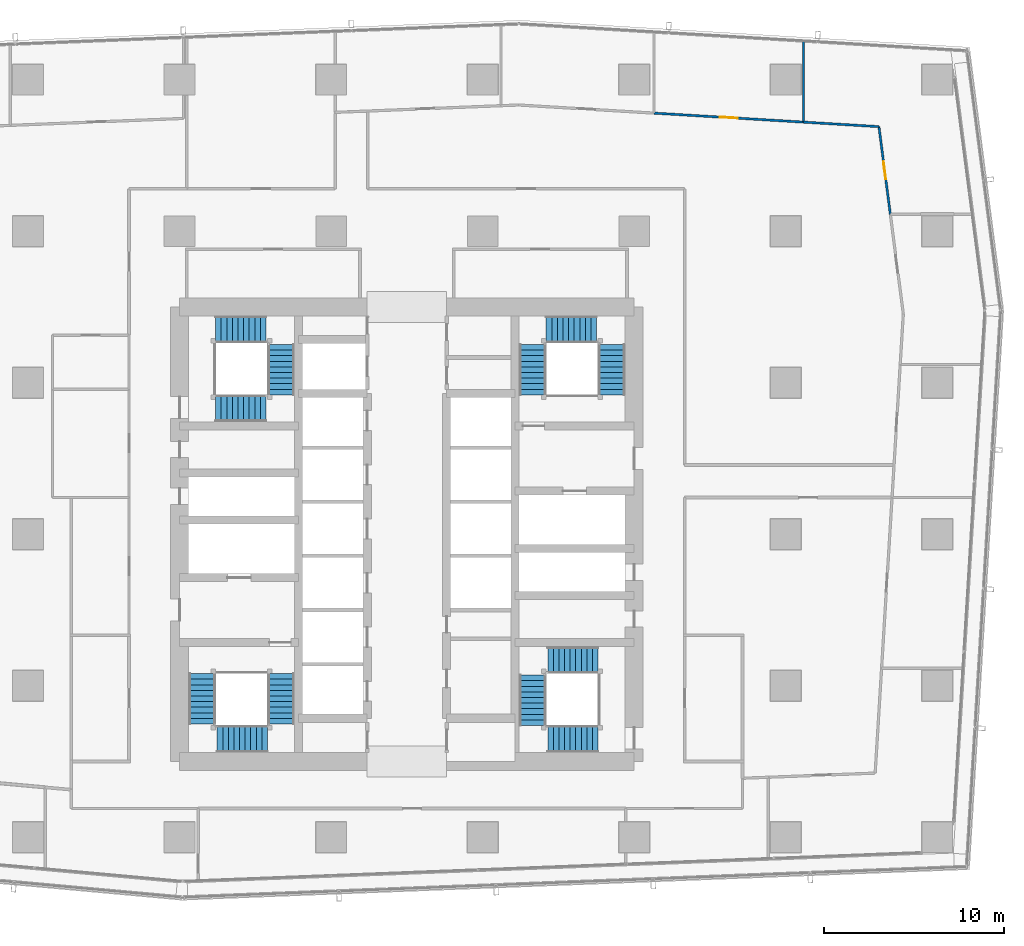
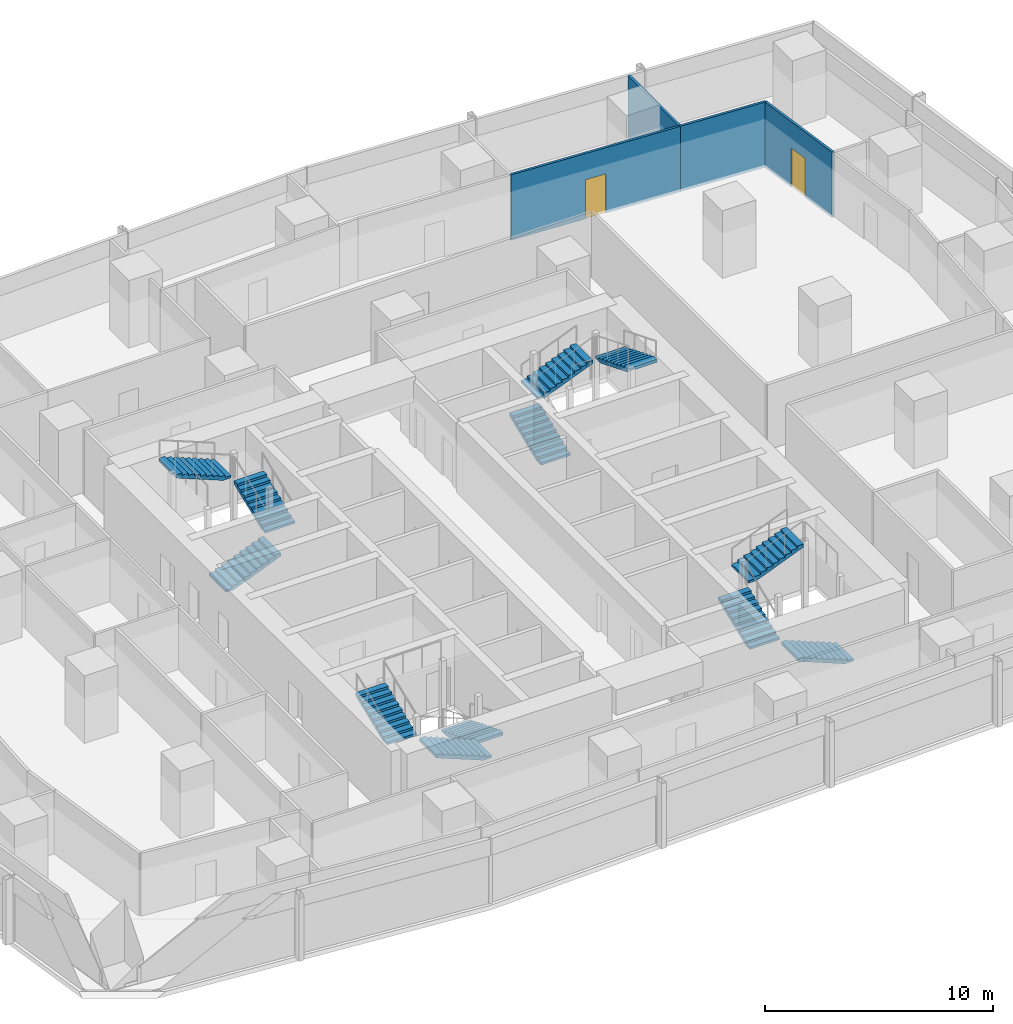
# One storey, part 32 of 40: 12 stair flights, 4 walls, 2 doors, 2 openings, 4 elements without a shape of their own.
"""IFC4 building model written with IfcOpenShell, lengths in metres."""

from ifc_helpers import new_model, si_unit, direction, frame, frame_2d, origin, place, context, subcontext, project, spatial, polyline, rectangle, outline, extrude, material, layer, layer_set, type_object, element, fill, aggregate, save


model = new_model("IFC4")

# Units and contexts
model_context = context("Model", 3, precision=1e-05, world=origin(), true_north=direction((0.0, 1.0)))
body_context = subcontext(model_context, "Body", "Model", "MODEL_VIEW")
ifc_project = project(units=[si_unit("LENGTHUNIT", "METRE"), si_unit("AREAUNIT", "SQUARE_METRE"), si_unit("VOLUMEUNIT", "CUBIC_METRE"), si_unit("PLANEANGLEUNIT", "RADIAN"), si_unit("MASSUNIT", "GRAM", prefix="KILO")], contexts=[model_context])

# Site, building, storey
site_placement = place(None, origin())
site = spatial("IfcSite", under=ifc_project, at=site_placement, CompositionType="ELEMENT")
building_placement = place(site_placement, origin())
building = spatial("IfcBuilding", under=site, at=building_placement, Name="Rekha Terrace Tower", CompositionType="ELEMENT")
storey_placement = place(building_placement, frame((0.0, 0.0, 110.300048828125)))
storey = spatial("IfcBuildingStorey", under=building, at=storey_placement, Name="L27", CompositionType="ELEMENT", Elevation=110.300048828125)

# Wall
ifc_material_1 = material(Name="Two layers of fire-rated gypsum board each side on steel studs, acoustic quilt, 1 hour", Category="steel")
ifc_layer = layer(ifc_material_1, 0.125)
ifc_layer_set = layer_set([ifc_layer], Name="Two layers of fire-rated gypsum board each side on steel studs, acoustic quilt, 1 hour")
wall_type = type_object("IfcWallType", Name="WP3 125 office partition", PredefinedType="PARTITIONING", material=ifc_layer_set)
wall_1_placement = place(storey_placement, frame((59.7880859375, 56.445068359375, 0.0), z_axis=(0.0, 0.0, 1.0), x_axis=(0.0, 1.0, 0.0)))
element("IfcWall", 1, at=wall_1_placement, inside=storey, type_object=wall_type, Name="Partition L27-07", PredefinedType="PARTITIONING", context=body_context, shape_type="SweptSolid", body=[
    extrude(rectangle(XDim=4.4580078125, YDim=0.125, at=frame_2d((2.22900390625, 0.0))), origin(), (0.0, 0.0, 1.0), 3.5),
])

# Wall, opening, door
wall_2_placement = place(storey_placement, frame((64.59912109375, 51.339111328125, 0.0), z_axis=(0.0, 0.0, 1.0), x_axis=(-0.129102549566, 0.991631247841, 0.0)))
wall_2 = element("IfcWall", 2, at=wall_2_placement, inside=storey, type_object=wall_type, Name="Partition L27-07", PredefinedType="PARTITIONING", context=body_context, shape_type="SweptSolid", body=[
    extrude(rectangle(XDim=4.89599609375, YDim=0.125, at=frame_2d((2.447998046875, 0.0))), origin(), (0.0, 0.0, 1.0), 3.5),
])
opening_1_placement = place(wall_2_placement, frame((1.947998046875, 0.0, 0.0)))
opening_1 = element("IfcOpeningElement", 3, at=opening_1_placement, cuts=wall_2, Name="Opening D9", PredefinedType="OPENING", context=body_context, shape_type="SweptSolid", body=[
    extrude(rectangle(XDim=1.0, YDim=2.10009765625, at=frame_2d((0.5, 1.050048828125))), frame((0.0, 0.072509765625, 0.0), z_axis=(0.0, -1.0, 0.0), x_axis=(1.0, 0.0, 0.0)), (0.0, 0.0, 1.0), 0.14501953125),
])
ifc_material_2 = material(Name="Timber fire door", Category="wood")
door_type = type_object("IfcDoorType", Name="D9 1000x2100 office door", OperationType="SINGLE_SWING_LEFT", PredefinedType="DOOR", material=ifc_material_2)
door_1_placement = place(opening_1_placement, origin())
door_1 = element("IfcDoor", 4, at=door_1_placement, inside=storey, type_object=door_type, Name="Door manager's office L27", OperationType="SINGLE_SWING_LEFT", OverallHeight=2.10009765625, OverallWidth=1.0, PredefinedType="DOOR", context=body_context, shape_type="SweptSolid", body=[
    extrude(rectangle(XDim=1.0, YDim=2.10009765625, at=frame_2d((0.5, 1.050048828125))), frame((0.0, 0.02490234375, 0.0), z_axis=(0.0, -1.0, 0.0), x_axis=(1.0, 0.0, 0.0)), (0.0, 0.0, 1.0), 0.050048828125),
])
fill(opening_1, door_1)

# Wall
wall_3_placement = place(storey_placement, frame((63.967041015625, 56.194091796875, 0.0), z_axis=(0.0, 0.0, 1.0), x_axis=(-0.998201427139, 0.059949235678, 0.0)))
element("IfcWall", 5, at=wall_3_placement, inside=storey, type_object=wall_type, Name="Partition L27-07", PredefinedType="PARTITIONING", context=body_context, shape_type="SweptSolid", body=[
    extrude(rectangle(XDim=4.1865234375, YDim=0.125, at=frame_2d((2.09326171875, 0.0))), origin(), (0.0, 0.0, 1.0), 3.5),
])

# Wall, opening, door
wall_4_placement = place(storey_placement, frame((59.787109375, 56.445068359375, 0.0), z_axis=(0.0, 0.0, 1.0), x_axis=(-0.998194005673, 0.060072681298, 0.0)))
wall_4 = element("IfcWall", 6, at=wall_4_placement, inside=storey, type_object=wall_type, Name="Partition L27-08", PredefinedType="PARTITIONING", context=body_context, shape_type="SweptSolid", body=[
    extrude(rectangle(XDim=8.306884765625, YDim=0.125, at=frame_2d((4.1533203125, 0.0))), origin(), (0.0, 0.0, 1.0), 3.5),
])
opening_2_placement = place(wall_4_placement, frame((3.654052734375, 0.0, 0.0)))
opening_2 = element("IfcOpeningElement", 7, at=opening_2_placement, cuts=wall_4, Name="Opening D9", PredefinedType="OPENING", context=body_context, shape_type="SweptSolid", body=[
    extrude(rectangle(XDim=1.0, YDim=2.10009765625, at=frame_2d((0.5, 1.050048828125))), frame((0.0, 0.072509765625, 0.0), z_axis=(0.0, -1.0, 0.0), x_axis=(1.0, 0.0, 0.0)), (0.0, 0.0, 1.0), 0.14501953125),
])
door_2_placement = place(opening_2_placement, origin())
door_2 = element("IfcDoor", 8, at=door_2_placement, inside=storey, type_object=door_type, Name="Door office L27", OperationType="SINGLE_SWING_LEFT", OverallHeight=2.10009765625, OverallWidth=1.0, PredefinedType="DOOR", context=body_context, shape_type="SweptSolid", body=[
    extrude(rectangle(XDim=1.0, YDim=2.10009765625, at=frame_2d((0.5, 1.050048828125))), frame((0.0, 0.02490234375, 0.0), z_axis=(0.0, -1.0, 0.0), x_axis=(1.0, 0.0, 0.0)), (0.0, 0.0, 1.0), 0.050048828125),
])
fill(opening_2, door_2)

# Stair, stair flights
ifc_material_3 = material(Name="Concrete M40", Category="concrete")
stair_type = type_object("IfcStairType", Name="ST30 stair, 30 risers of 125, going 310, 1500 wide flights, 3 flights", PredefinedType="HALF_TURN_STAIR", material=ifc_material_3)
stair_1_placement = place(storey_placement, origin())
stair_1 = element("IfcStair", 9, at=stair_1_placement, inside=storey, type_object=stair_type, Name="Stair ST1 L27 to L28", PredefinedType="HALF_TURN_STAIR")
stair_flight_type = type_object("IfcStairFlightType", Name="SF10 stair flight, 10 risers of 125, going 310, 1500 wide", PredefinedType="STRAIGHT", material=ifc_material_3)
stair_flight_1_placement = place(storey_placement, frame((30.824951171875, 25.875, 0.0), z_axis=(0.0, 0.0, 1.0), x_axis=(0.0, -1.0, 0.0)))
stair_flight_1 = element("IfcStairFlight", 10, at=stair_flight_1_placement, type_object=stair_flight_type, Name="ST1 flight 1", NumberOfRisers=10, NumberOfTreads=9, PredefinedType="STRAIGHT", RiserHeight=0.125, TreadLength=0.31, context=body_context, shape_type="SweptSolid", body=[
    extrude(outline(polyline([(0.0, 0.0), (0.0, 0.125), (0.31005859375, 0.125), (0.31005859375, 0.25), (0.6201171875, 0.25), (0.6201171875, 0.375), (0.929931640625, 0.375), (0.929931640625, 0.5), (1.239990234375, 0.5), (1.239990234375, 0.625), (1.550048828125, 0.625), (1.550048828125, 0.75), (1.860107421875, 0.75), (1.860107421875, 0.875), (2.169921875, 0.875), (2.169921875, 1.0), (2.47998046875, 1.0), (2.47998046875, 1.125), (2.7900390625, 1.125), (2.7900390625, 1.25), (2.7900390625, 0.96337890625), (0.40087890625, 0.0), (0.0, 0.0)])), frame((0.0, 0.75, 0.0), z_axis=(0.0, -1.0, 0.0), x_axis=(1.0, 0.0, 0.0)), (0.0, 0.0, 1.0), 1.5),
])
stair_flight_2_placement = place(storey_placement, frame((30.074951171875, 22.25, 1.25), z_axis=(0.0, 0.0, 1.0), x_axis=(-1.0, 0.0, 0.0)))
stair_flight_2 = element("IfcStairFlight", 11, at=stair_flight_2_placement, type_object=stair_flight_type, Name="ST1 flight 2", NumberOfRisers=10, NumberOfTreads=9, PredefinedType="STRAIGHT", RiserHeight=0.125, TreadLength=0.31, context=body_context, shape_type="SweptSolid", body=[
    extrude(outline(polyline([(0.0, 0.0), (0.0, 0.125), (0.31005859375, 0.125), (0.31005859375, 0.25), (0.6201171875, 0.25), (0.6201171875, 0.375), (0.929931640625, 0.375), (0.929931640625, 0.5), (1.239990234375, 0.5), (1.239990234375, 0.625), (1.550048828125, 0.625), (1.550048828125, 0.75), (1.860107421875, 0.75), (1.860107421875, 0.875), (2.169921875, 0.875), (2.169921875, 1.0), (2.47998046875, 1.0), (2.47998046875, 1.125), (2.7900390625, 1.125), (2.7900390625, 1.25), (2.7900390625, 0.96337890625), (0.40087890625, 0.0), (0.0, 0.0)])), frame((0.0, 0.75, 0.0), z_axis=(0.0, -1.0, 0.0), x_axis=(1.0, 0.0, 0.0)), (0.0, 0.0, 1.0), 1.5),
])
stair_flight_3_placement = place(storey_placement, frame((26.449951171875, 23.0849609375, 2.5), z_axis=(0.0, 0.0, 1.0), x_axis=(0.0, 1.0, 0.0)))
stair_flight_3 = element("IfcStairFlight", 12, at=stair_flight_3_placement, type_object=stair_flight_type, Name="ST1 flight 3", NumberOfRisers=10, NumberOfTreads=9, PredefinedType="STRAIGHT", RiserHeight=0.125, TreadLength=0.31, context=body_context, shape_type="SweptSolid", body=[
    extrude(outline(polyline([(0.0, 0.0), (0.0, 0.125), (0.31005859375, 0.125), (0.31005859375, 0.25), (0.6201171875, 0.25), (0.6201171875, 0.375), (0.929931640625, 0.375), (0.929931640625, 0.5), (1.239990234375, 0.5), (1.239990234375, 0.625), (1.550048828125, 0.625), (1.550048828125, 0.75), (1.860107421875, 0.75), (1.860107421875, 0.875), (2.169921875, 0.875), (2.169921875, 1.0), (2.47998046875, 1.0), (2.47998046875, 1.125), (2.7900390625, 1.125), (2.7900390625, 1.25), (2.7900390625, 0.96337890625), (0.40087890625, 0.0), (0.0, 0.0)])), frame((0.0, 0.75, 0.0), z_axis=(0.0, -1.0, 0.0), x_axis=(1.0, 0.0, 0.0)), (0.0, 0.0, 1.0), 1.5),
])
aggregate(stair_1, [stair_flight_1, stair_flight_2, stair_flight_3])

stair_2_placement = place(storey_placement, origin())
stair_2 = element("IfcStair", 13, at=stair_2_placement, inside=storey, type_object=stair_type, Name="Stair ST2 L27 to L28", PredefinedType="HALF_TURN_STAIR")
stair_flight_4_placement = place(storey_placement, frame((44.77490234375, 41.324951171875, 0.0), z_axis=(0.0, 0.0, 1.0), x_axis=(0.0, 1.0, 0.0)))
stair_flight_4 = element("IfcStairFlight", 14, at=stair_flight_4_placement, type_object=stair_flight_type, Name="ST2 flight 1", NumberOfRisers=10, NumberOfTreads=9, PredefinedType="STRAIGHT", RiserHeight=0.125, TreadLength=0.31, context=body_context, shape_type="SweptSolid", body=[
    extrude(outline(polyline([(0.0, 0.0), (0.0, 0.125), (0.31005859375, 0.125), (0.31005859375, 0.25), (0.6201171875, 0.25), (0.6201171875, 0.375), (0.929931640625, 0.375), (0.929931640625, 0.5), (1.239990234375, 0.5), (1.239990234375, 0.625), (1.550048828125, 0.625), (1.550048828125, 0.75), (1.860107421875, 0.75), (1.860107421875, 0.875), (2.169921875, 0.875), (2.169921875, 1.0), (2.47998046875, 1.0), (2.47998046875, 1.125), (2.7900390625, 1.125), (2.7900390625, 1.25), (2.7900390625, 0.96337890625), (0.40087890625, 0.0), (0.0, 0.0)])), frame((0.0, 0.75, 0.0), z_axis=(0.0, -1.0, 0.0), x_axis=(1.0, 0.0, 0.0)), (0.0, 0.0, 1.0), 1.5),
])
stair_flight_5_placement = place(storey_placement, frame((45.52490234375, 44.949951171875, 1.25), z_axis=(0.0, 0.0, 1.0), x_axis=(1.0, 0.0, 0.0)))
stair_flight_5 = element("IfcStairFlight", 15, at=stair_flight_5_placement, type_object=stair_flight_type, Name="ST2 flight 2", NumberOfRisers=10, NumberOfTreads=9, PredefinedType="STRAIGHT", RiserHeight=0.125, TreadLength=0.31, context=body_context, shape_type="SweptSolid", body=[
    extrude(outline(polyline([(0.0, 0.0), (0.0, 0.125), (0.31005859375, 0.125), (0.31005859375, 0.25), (0.6201171875, 0.25), (0.6201171875, 0.375), (0.929931640625, 0.375), (0.929931640625, 0.5), (1.239990234375, 0.5), (1.239990234375, 0.625), (1.550048828125, 0.625), (1.550048828125, 0.75), (1.860107421875, 0.75), (1.860107421875, 0.875), (2.169921875, 0.875), (2.169921875, 1.0), (2.47998046875, 1.0), (2.47998046875, 1.125), (2.7900390625, 1.125), (2.7900390625, 1.25), (2.7900390625, 0.96337890625), (0.40087890625, 0.0), (0.0, 0.0)])), frame((0.0, 0.75, 0.0), z_axis=(0.0, -1.0, 0.0), x_axis=(1.0, 0.0, 0.0)), (0.0, 0.0, 1.0), 1.5),
])
stair_flight_6_placement = place(storey_placement, frame((49.14990234375, 44.114990234375, 2.5), z_axis=(0.0, 0.0, 1.0), x_axis=(0.0, -1.0, 0.0)))
stair_flight_6 = element("IfcStairFlight", 16, at=stair_flight_6_placement, type_object=stair_flight_type, Name="ST2 flight 3", NumberOfRisers=10, NumberOfTreads=9, PredefinedType="STRAIGHT", RiserHeight=0.125, TreadLength=0.31, context=body_context, shape_type="SweptSolid", body=[
    extrude(outline(polyline([(0.0, 0.0), (0.0, 0.125), (0.31005859375, 0.125), (0.31005859375, 0.25), (0.6201171875, 0.25), (0.6201171875, 0.375), (0.929931640625, 0.375), (0.929931640625, 0.5), (1.239990234375, 0.5), (1.239990234375, 0.625), (1.550048828125, 0.625), (1.550048828125, 0.75), (1.860107421875, 0.75), (1.860107421875, 0.875), (2.169921875, 0.875), (2.169921875, 1.0), (2.47998046875, 1.0), (2.47998046875, 1.125), (2.7900390625, 1.125), (2.7900390625, 1.25), (2.7900390625, 0.96337890625), (0.40087890625, 0.0), (0.0, 0.0)])), frame((0.0, 0.75, 0.0), z_axis=(0.0, -1.0, 0.0), x_axis=(1.0, 0.0, 0.0)), (0.0, 0.0, 1.0), 1.5),
])
aggregate(stair_2, [stair_flight_4, stair_flight_5, stair_flight_6])

stair_3_placement = place(storey_placement, origin())
stair_3 = element("IfcStair", 17, at=stair_3_placement, inside=storey, type_object=stair_type, Name="Stair ST3 L27 to L28", PredefinedType="HALF_TURN_STAIR")
stair_flight_7_placement = place(storey_placement, frame((48.39990234375, 22.25, 0.0), z_axis=(0.0, 0.0, 1.0), x_axis=(-1.0, 0.0, 0.0)))
stair_flight_7 = element("IfcStairFlight", 18, at=stair_flight_7_placement, type_object=stair_flight_type, Name="ST3 flight 1", NumberOfRisers=10, NumberOfTreads=9, PredefinedType="STRAIGHT", RiserHeight=0.125, TreadLength=0.31, context=body_context, shape_type="SweptSolid", body=[
    extrude(outline(polyline([(0.0, 0.0), (0.0, 0.125), (0.31005859375, 0.125), (0.31005859375, 0.25), (0.6201171875, 0.25), (0.6201171875, 0.375), (0.929931640625, 0.375), (0.929931640625, 0.5), (1.239990234375, 0.5), (1.239990234375, 0.625), (1.550048828125, 0.625), (1.550048828125, 0.75), (1.860107421875, 0.75), (1.860107421875, 0.875), (2.169921875, 0.875), (2.169921875, 1.0), (2.47998046875, 1.0), (2.47998046875, 1.125), (2.7900390625, 1.125), (2.7900390625, 1.25), (2.7900390625, 0.96337890625), (0.40087890625, 0.0), (0.0, 0.0)])), frame((0.0, 0.75, 0.0), z_axis=(0.0, -1.0, 0.0), x_axis=(1.0, 0.0, 0.0)), (0.0, 0.0, 1.0), 1.5),
])
stair_flight_8_placement = place(storey_placement, frame((44.77490234375, 23.0, 1.25), z_axis=(0.0, 0.0, 1.0), x_axis=(0.0, 1.0, 0.0)))
stair_flight_8 = element("IfcStairFlight", 19, at=stair_flight_8_placement, type_object=stair_flight_type, Name="ST3 flight 2", NumberOfRisers=10, NumberOfTreads=9, PredefinedType="STRAIGHT", RiserHeight=0.125, TreadLength=0.31, context=body_context, shape_type="SweptSolid", body=[
    extrude(outline(polyline([(0.0, 0.0), (0.0, 0.125), (0.31005859375, 0.125), (0.31005859375, 0.25), (0.6201171875, 0.25), (0.6201171875, 0.375), (0.929931640625, 0.375), (0.929931640625, 0.5), (1.239990234375, 0.5), (1.239990234375, 0.625), (1.550048828125, 0.625), (1.550048828125, 0.75), (1.860107421875, 0.75), (1.860107421875, 0.875), (2.169921875, 0.875), (2.169921875, 1.0), (2.47998046875, 1.0), (2.47998046875, 1.125), (2.7900390625, 1.125), (2.7900390625, 1.25), (2.7900390625, 0.96337890625), (0.40087890625, 0.0), (0.0, 0.0)])), frame((0.0, 0.75, 0.0), z_axis=(0.0, -1.0, 0.0), x_axis=(1.0, 0.0, 0.0)), (0.0, 0.0, 1.0), 1.5),
])
stair_flight_9_placement = place(storey_placement, frame((45.610107421875, 26.625, 2.5), z_axis=(0.0, 0.0, 1.0), x_axis=(1.0, 0.0, 0.0)))
stair_flight_9 = element("IfcStairFlight", 20, at=stair_flight_9_placement, type_object=stair_flight_type, Name="ST3 flight 3", NumberOfRisers=10, NumberOfTreads=9, PredefinedType="STRAIGHT", RiserHeight=0.125, TreadLength=0.31, context=body_context, shape_type="SweptSolid", body=[
    extrude(outline(polyline([(0.0, 0.0), (0.0, 0.125), (0.31005859375, 0.125), (0.31005859375, 0.25), (0.6201171875, 0.25), (0.6201171875, 0.375), (0.929931640625, 0.375), (0.929931640625, 0.5), (1.239990234375, 0.5), (1.239990234375, 0.625), (1.550048828125, 0.625), (1.550048828125, 0.75), (1.860107421875, 0.75), (1.860107421875, 0.875), (2.169921875, 0.875), (2.169921875, 1.0), (2.47998046875, 1.0), (2.47998046875, 1.125), (2.7900390625, 1.125), (2.7900390625, 1.25), (2.7900390625, 0.96337890625), (0.40087890625, 0.0), (0.0, 0.0)])), frame((0.0, 0.75, 0.0), z_axis=(0.0, -1.0, 0.0), x_axis=(1.0, 0.0, 0.0)), (0.0, 0.0, 1.0), 1.5),
])
aggregate(stair_3, [stair_flight_7, stair_flight_8, stair_flight_9])

stair_4_placement = place(storey_placement, origin())
stair_4 = element("IfcStair", 21, at=stair_4_placement, inside=storey, type_object=stair_type, Name="Stair ST4 L27 to L28", PredefinedType="HALF_TURN_STAIR")
stair_flight_10_placement = place(storey_placement, frame((27.199951171875, 40.574951171875, 0.0), z_axis=(0.0, 0.0, 1.0), x_axis=(1.0, 0.0, 0.0)))
stair_flight_10 = element("IfcStairFlight", 22, at=stair_flight_10_placement, type_object=stair_flight_type, Name="ST4 flight 1", NumberOfRisers=10, NumberOfTreads=9, PredefinedType="STRAIGHT", RiserHeight=0.125, TreadLength=0.31, context=body_context, shape_type="SweptSolid", body=[
    extrude(outline(polyline([(0.0, 0.0), (0.0, 0.125), (0.31005859375, 0.125), (0.31005859375, 0.25), (0.6201171875, 0.25), (0.6201171875, 0.375), (0.929931640625, 0.375), (0.929931640625, 0.5), (1.239990234375, 0.5), (1.239990234375, 0.625), (1.550048828125, 0.625), (1.550048828125, 0.75), (1.860107421875, 0.75), (1.860107421875, 0.875), (2.169921875, 0.875), (2.169921875, 1.0), (2.47998046875, 1.0), (2.47998046875, 1.125), (2.7900390625, 1.125), (2.7900390625, 1.25), (2.7900390625, 0.96337890625), (0.40087890625, 0.0), (0.0, 0.0)])), frame((0.0, 0.75, 0.0), z_axis=(0.0, -1.0, 0.0), x_axis=(1.0, 0.0, 0.0)), (0.0, 0.0, 1.0), 1.5),
])
stair_flight_11_placement = place(storey_placement, frame((30.824951171875, 41.324951171875, 1.25), z_axis=(0.0, 0.0, 1.0), x_axis=(0.0, 1.0, 0.0)))
stair_flight_11 = element("IfcStairFlight", 23, at=stair_flight_11_placement, type_object=stair_flight_type, Name="ST4 flight 2", NumberOfRisers=10, NumberOfTreads=9, PredefinedType="STRAIGHT", RiserHeight=0.125, TreadLength=0.31, context=body_context, shape_type="SweptSolid", body=[
    extrude(outline(polyline([(0.0, 0.0), (0.0, 0.125), (0.31005859375, 0.125), (0.31005859375, 0.25), (0.6201171875, 0.25), (0.6201171875, 0.375), (0.929931640625, 0.375), (0.929931640625, 0.5), (1.239990234375, 0.5), (1.239990234375, 0.625), (1.550048828125, 0.625), (1.550048828125, 0.75), (1.860107421875, 0.75), (1.860107421875, 0.875), (2.169921875, 0.875), (2.169921875, 1.0), (2.47998046875, 1.0), (2.47998046875, 1.125), (2.7900390625, 1.125), (2.7900390625, 1.25), (2.7900390625, 0.96337890625), (0.40087890625, 0.0), (0.0, 0.0)])), frame((0.0, 0.75, 0.0), z_axis=(0.0, -1.0, 0.0), x_axis=(1.0, 0.0, 0.0)), (0.0, 0.0, 1.0), 1.5),
])
stair_flight_12_placement = place(storey_placement, frame((29.989990234375, 44.949951171875, 2.5), z_axis=(0.0, 0.0, 1.0), x_axis=(-1.0, 0.0, 0.0)))
stair_flight_12 = element("IfcStairFlight", 24, at=stair_flight_12_placement, type_object=stair_flight_type, Name="ST4 flight 3", NumberOfRisers=10, NumberOfTreads=9, PredefinedType="STRAIGHT", RiserHeight=0.125, TreadLength=0.31, context=body_context, shape_type="SweptSolid", body=[
    extrude(outline(polyline([(0.0, 0.0), (0.0, 0.125), (0.31005859375, 0.125), (0.31005859375, 0.25), (0.6201171875, 0.25), (0.6201171875, 0.375), (0.929931640625, 0.375), (0.929931640625, 0.5), (1.239990234375, 0.5), (1.239990234375, 0.625), (1.550048828125, 0.625), (1.550048828125, 0.75), (1.860107421875, 0.75), (1.860107421875, 0.875), (2.169921875, 0.875), (2.169921875, 1.0), (2.47998046875, 1.0), (2.47998046875, 1.125), (2.7900390625, 1.125), (2.7900390625, 1.25), (2.7900390625, 0.96337890625), (0.40087890625, 0.0), (0.0, 0.0)])), frame((0.0, 0.75, 0.0), z_axis=(0.0, -1.0, 0.0), x_axis=(1.0, 0.0, 0.0)), (0.0, 0.0, 1.0), 1.5),
])
aggregate(stair_4, [stair_flight_10, stair_flight_11, stair_flight_12])

save(model, "model.ifc")
